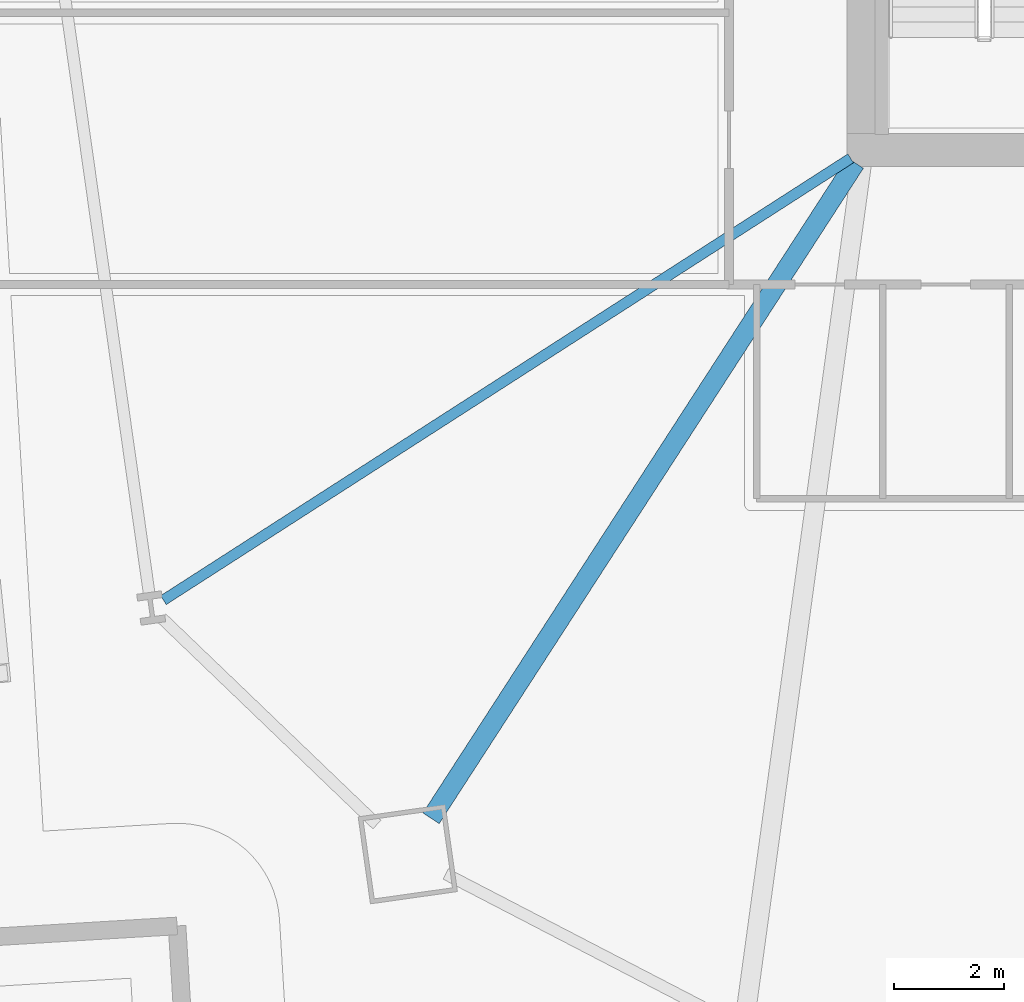
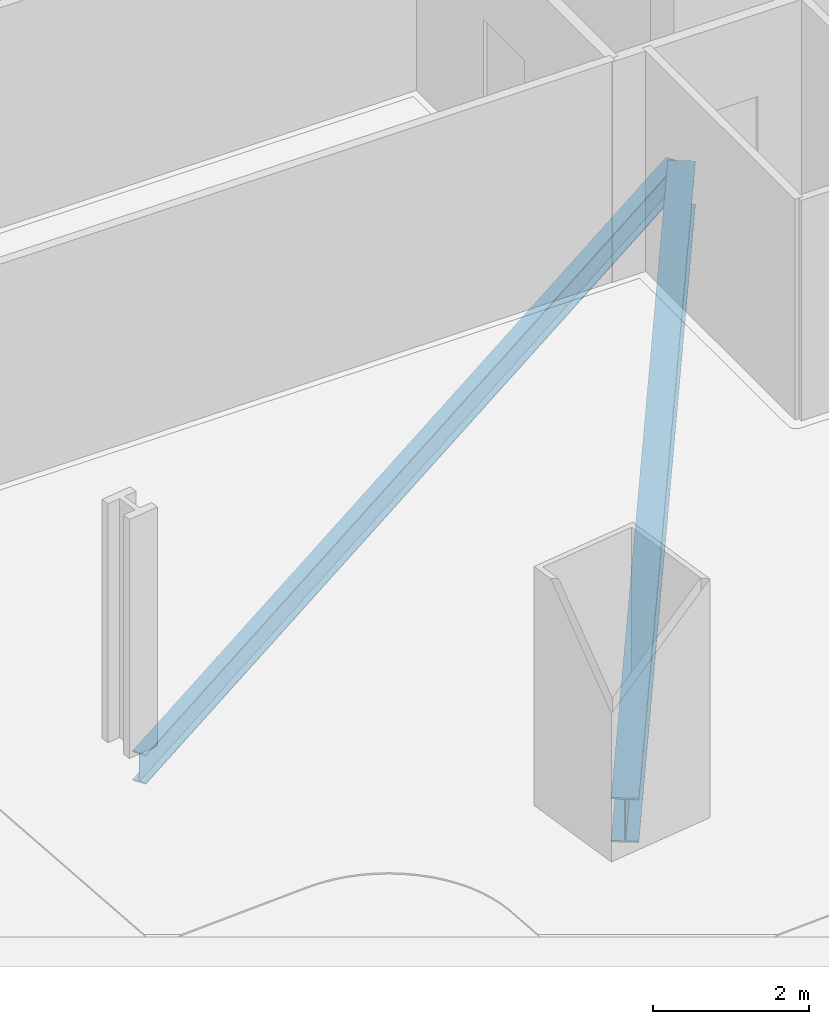
# One storey, part 4 of 34: 2 beams.
"""IFC4 building model written with IfcOpenShell, lengths in metres."""

from ifc_helpers import new_model, si_unit, direction, frame, origin, origin_2d, place, context, subcontext, project, spatial, i_section, extrude, material, material_profile, profile_set, type_object, element, save


model = new_model("IFC4")

# Units and contexts
model_context = context("Model", 3, precision=1e-05, world=origin(), true_north=direction((0.0, 1.0)))
body_context = subcontext(model_context, "Body", "Model", "MODEL_VIEW")
ifc_project = project(units=[si_unit("LENGTHUNIT", "METRE"), si_unit("AREAUNIT", "SQUARE_METRE"), si_unit("VOLUMEUNIT", "CUBIC_METRE"), si_unit("PLANEANGLEUNIT", "RADIAN"), si_unit("MASSUNIT", "GRAM", prefix="KILO")], contexts=[model_context])

# Site, building, storey
site_placement = place(None, origin())
site = spatial("IfcSite", under=ifc_project, at=site_placement, CompositionType="ELEMENT")
building_placement = place(site_placement, origin())
building = spatial("IfcBuilding", under=site, at=building_placement, Name="Haldenkirk Collegiate Tower", CompositionType="ELEMENT")
storey_placement = place(building_placement, frame((0.0, 0.0, 40.199951171875)))
storey = spatial("IfcBuildingStorey", under=building, at=storey_placement, Name="L08", CompositionType="ELEMENT", Elevation=40.199951171875)

# Beams
ifc_material = material(Name="Steel ASTM A992 Grade 50", Category="steel")
ifc_material_profile_1 = material_profile(ifc_material, i_section(OverallWidth=0.35498046875, OverallDepth=0.696044921875, WebThickness=0.015380859375, FlangeThickness=0.02490234375, at=origin_2d()), Name="W27X146")
ifc_profile_set_1 = profile_set([ifc_material_profile_1], Name="Steel ASTM A992 Grade 50")
beam_type_1 = type_object("IfcBeamType", Name="BM-GIRDER-W27X146", PredefinedType="BEAM", material=ifc_profile_set_1)
beam_1_placement = place(storey_placement, frame((19.1201171875, 5.826416015625, -0.657958984375), z_axis=(0.54339434448, 0.839477567531, 0.0), x_axis=(-0.839477567531, 0.54339434448, 0.0)))
element("IfcBeam", 1, at=beam_1_placement, inside=storey, type_object=beam_type_1, Name="L08 primary floor girder 01", PredefinedType="BEAM", context=body_context, shape_type="SweptSolid", body=[
    extrude(i_section(OverallWidth=0.35498046875, OverallDepth=0.696044921875, WebThickness=0.015380859375, FlangeThickness=0.02490234375, at=origin_2d()), origin(), (0.0, 0.0, 1.0), 14.221435546875),
])
ifc_material_profile_2 = material_profile(ifc_material, i_section(OverallWidth=0.19189453125, OverallDepth=0.462890625, WebThickness=0.010498046875, FlangeThickness=0.017578125, at=origin_2d()), Name="W18X60")
ifc_profile_set_2 = profile_set([ifc_material_profile_2], Name="Steel ASTM A992 Grade 50")
beam_type_2 = type_object("IfcBeamType", Name="BM-JOIST-W18X60", PredefinedType="JOIST", material=ifc_profile_set_2)
beam_2_placement = place(storey_placement, frame((14.244384765625, 9.80029296875, -0.54150390625), z_axis=(0.841185936654, 0.540745984707, 0.0), x_axis=(-0.540745984707, 0.841185936654, 0.0)))
element("IfcBeam", 2, at=beam_2_placement, inside=storey, type_object=beam_type_2, Name="L08 composite floor joist 16", PredefinedType="JOIST", context=body_context, shape_type="SweptSolid", body=[
    extrude(i_section(OverallWidth=0.19189453125, OverallDepth=0.462890625, WebThickness=0.010498046875, FlangeThickness=0.017578125, at=origin_2d()), origin(), (0.0, 0.0, 1.0), 14.8837890625),
])

save(model, "model.ifc")
